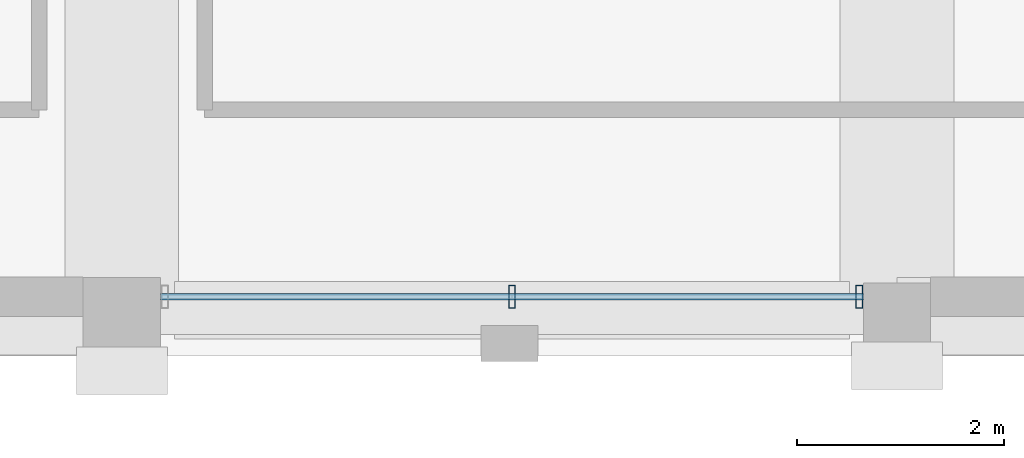
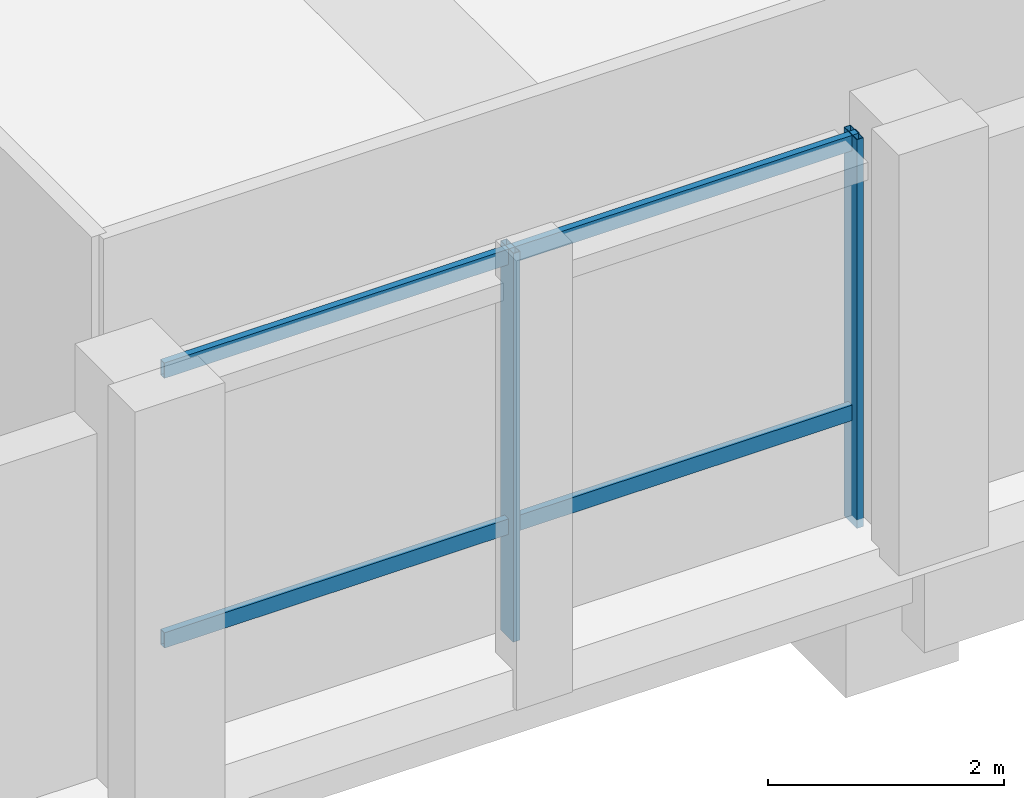
# One storey, part 24 of 64: 4 members, 1 element without a shape of its own.
"""IFC4 building model written with IfcOpenShell, lengths in metres."""

from ifc_helpers import new_model, si_unit, direction, frame, origin, origin_2d, place, context, subcontext, project, spatial, hollow_rectangle, extrude, material, material_profile, profile_set, type_object, element, aggregate, save


model = new_model("IFC4")

# Units and contexts
model_context = context("Model", 3, precision=1e-05, world=origin(), true_north=direction((0.0, 1.0)))
body_context = subcontext(model_context, "Body", "Model", "MODEL_VIEW")
ifc_project = project(units=[si_unit("LENGTHUNIT", "METRE"), si_unit("AREAUNIT", "SQUARE_METRE"), si_unit("VOLUMEUNIT", "CUBIC_METRE"), si_unit("PLANEANGLEUNIT", "RADIAN"), si_unit("MASSUNIT", "GRAM", prefix="KILO")], contexts=[model_context])

# Site, building, storey
site_placement = place(None, origin())
site = spatial("IfcSite", under=ifc_project, at=site_placement, CompositionType="ELEMENT")
building_placement = place(site_placement, origin())
building = spatial("IfcBuilding", under=site, at=building_placement, Name="Akrevak Sports Hall", CompositionType="ELEMENT")
storey_placement = place(building_placement, frame((0.0, 0.0, 4.60009765625)))
storey = spatial("IfcBuildingStorey", under=building, at=storey_placement, Name="L01", CompositionType="ELEMENT", Elevation=4.60009765625)

# Curtain wall, members
ifc_material_1 = material(Name="Anodized Bronze Aluminium & Low-E Glass", Category="aluminium")
curtain_wall_type = type_object("IfcCurtainWallType", Name="ARC-CW-POD-70x42", PredefinedType="NOTDEFINED", material=ifc_material_1)
curtain_wall_placement = place(storey_placement, origin())
curtain_wall = element("IfcCurtainWall", 1, at=curtain_wall_placement, inside=storey, type_object=curtain_wall_type, Name="Curtain Wall CW-L01-S13", PredefinedType="NOTDEFINED")
ifc_material_2 = material(Name="Anodized Bronze Aluminium", Category="aluminium")
ifc_material_profile_1 = material_profile(ifc_material_2, hollow_rectangle(XDim=0.06494140625, YDim=0.219970703125, WallThickness=0.00439453125, at=origin_2d()), Name="CWM 65x220", Category="aluminium")
ifc_profile_set_1 = profile_set([ifc_material_profile_1], Name="Anodized Bronze Aluminium")
member_type_1 = type_object("IfcMemberType", Name="ARC-CWM-70x160", PredefinedType="MULLION", material=ifc_profile_set_1)
member_1_placement = place(storey_placement, frame((111.77490234375, 0.18994140625, 0.0), z_axis=(0.0, 0.0, 1.0), x_axis=(1.0, 0.0, 0.0)))
member_1 = element("IfcMember", 2, at=member_1_placement, type_object=member_type_1, Name="Curtain Wall Mullion CW-L01-S13-M2", PredefinedType="MULLION", context=body_context, shape_type="SweptSolid", body=[
    extrude(hollow_rectangle(XDim=0.06494140625, YDim=0.219970703125, WallThickness=0.00439453125, at=origin_2d()), origin(), (0.0, 0.0, 1.0), 4.02001953125),
])
member_2_placement = place(storey_placement, frame((115.135009765625, 0.18994140625, 0.0), z_axis=(0.0, 0.0, 1.0), x_axis=(1.0, 0.0, 0.0)))
member_2 = element("IfcMember", 3, at=member_2_placement, type_object=member_type_1, Name="Curtain Wall Mullion CW-L01-S13-M3", PredefinedType="MULLION", context=body_context, shape_type="SweptSolid", body=[
    extrude(hollow_rectangle(XDim=0.06494140625, YDim=0.219970703125, WallThickness=0.00439453125, at=origin_2d()), origin(), (0.0, 0.0, 1.0), 4.02001953125),
])
ifc_material_profile_2 = material_profile(ifc_material_2, hollow_rectangle(XDim=0.06494140625, YDim=0.159912109375, WallThickness=0.00390625, at=origin_2d()), Name="CWT 65x160", Category="aluminium")
ifc_profile_set_2 = profile_set([ifc_material_profile_2], Name="Anodized Bronze Aluminium")
member_type_2 = type_object("IfcMemberType", Name="ARC-CWT-70x130", PredefinedType="USERDEFINED", material=ifc_profile_set_2)
member_3_placement = place(storey_placement, frame((108.375, 0.18994140625, 1.14990234375), z_axis=(1.0, 0.0, 0.0), x_axis=(0.0, 1.0, 0.0)))
member_3 = element("IfcMember", 4, at=member_3_placement, type_object=member_type_2, Name="Curtain Wall Transom CW-L01-S13-T1", ObjectType="TRANSOM", PredefinedType="USERDEFINED", context=body_context, shape_type="SweptSolid", body=[
    extrude(hollow_rectangle(XDim=0.06494140625, YDim=0.159912109375, WallThickness=0.00390625, at=origin_2d()), origin(), (0.0, 0.0, 1.0), 6.800048828125),
])
member_4_placement = place(storey_placement, frame((108.375, 0.18994140625, 3.93994140625), z_axis=(1.0, 0.0, 0.0), x_axis=(0.0, 1.0, 0.0)))
member_4 = element("IfcMember", 5, at=member_4_placement, type_object=member_type_2, Name="Curtain Wall Transom CW-L01-S13-T2", ObjectType="TRANSOM", PredefinedType="USERDEFINED", context=body_context, shape_type="SweptSolid", body=[
    extrude(hollow_rectangle(XDim=0.06494140625, YDim=0.159912109375, WallThickness=0.00390625, at=origin_2d()), origin(), (0.0, 0.0, 1.0), 6.800048828125),
])
aggregate(curtain_wall, [member_1, member_2, member_3, member_4])

save(model, "model.ifc")
